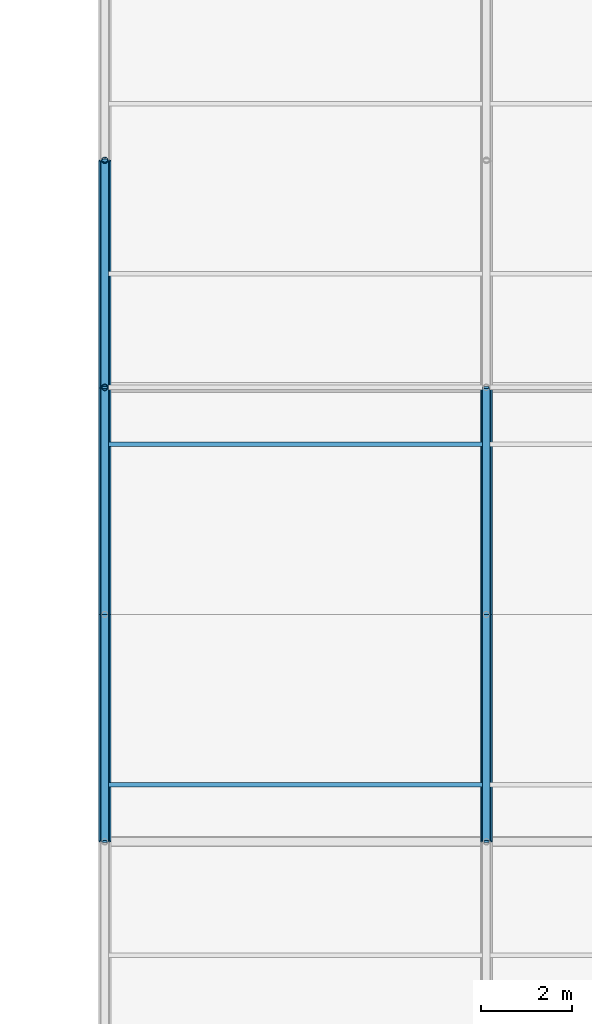
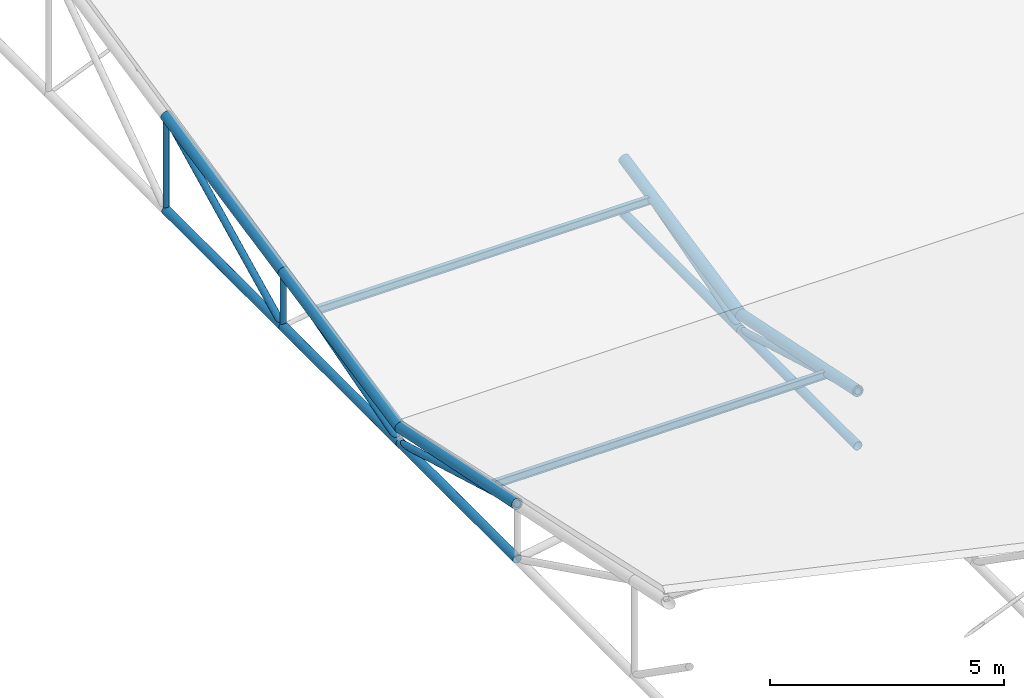
# One storey, part 9 of 194: 17 members, 2 beams.
"""IFC4 building model written with IfcOpenShell, lengths in metres."""

from ifc_helpers import new_model, si_unit, direction, frame, origin, origin_2d, place, context, subcontext, project, spatial, hollow_circle, i_section, extrude, material, material_profile, profile_set, type_object, element, save


model = new_model("IFC4")

# Units and contexts
model_context = context("Model", 3, precision=1e-05, world=origin(), true_north=direction((0.0, 1.0)))
body_context = subcontext(model_context, "Body", "Model", "MODEL_VIEW")
ifc_project = project(units=[si_unit("LENGTHUNIT", "METRE"), si_unit("AREAUNIT", "SQUARE_METRE"), si_unit("VOLUMEUNIT", "CUBIC_METRE"), si_unit("PLANEANGLEUNIT", "RADIAN"), si_unit("MASSUNIT", "GRAM", prefix="KILO")], contexts=[model_context])

# Site, building, storey
site_placement = place(None, origin())
site = spatial("IfcSite", under=ifc_project, at=site_placement, CompositionType="ELEMENT")
building_placement = place(site_placement, origin())
building = spatial("IfcBuilding", under=site, at=building_placement, Name="Kazenagashi Tramway Depot", CompositionType="ELEMENT")
storey_placement = place(building_placement, frame((0.0, 0.0, 23.7)))
storey = spatial("IfcBuildingStorey", under=building, at=storey_placement, Name="ROOF", CompositionType="ELEMENT", Elevation=23.7)

# Beams
ifc_material_1 = material(Name="Steel SN400B", Category="steel")
ifc_material_profile_1 = material_profile(ifc_material_1, i_section(OverallWidth=0.1, OverallDepth=0.2, WebThickness=0.0055, FlangeThickness=0.008, at=origin_2d()), Name="H-200x100x5.5x8")
ifc_profile_set_1 = profile_set([ifc_material_profile_1], Name="Steel SN400B")
beam_type = type_object("IfcBeamType", Name="PR-01", PredefinedType="USERDEFINED", material=ifc_profile_set_1)
for number, where, z_axis, x_axis, name in (
    (1, (44.8, 96.25, -12.955), (1.0, 0.0, 0.0), (0.0, 1.0, 0.0), "Beam PR-01 BM-2108"),
    (2, (44.8, 103.75, -12.955), (1.0, 0.0, 0.0), (0.0, 1.0, 0.0), "Beam PR-01 BM-2126"),
):
    element("IfcBeam", number, at=place(storey_placement, frame(where, z_axis=z_axis, x_axis=x_axis)), inside=storey, type_object=beam_type, Name=name, ObjectType="PURLIN", PredefinedType="USERDEFINED", context=body_context, shape_type="SweptSolid", body=[
        extrude(i_section(OverallWidth=0.1, OverallDepth=0.2, WebThickness=0.0055, FlangeThickness=0.008, at=origin_2d()), origin(), (0.0, 0.0, 1.0), 8.4),
    ])

# Members
ifc_material_2 = material(Name="Steel STK490", Category="steel")
ifc_material_profile_2 = material_profile(ifc_material_2, hollow_circle(Radius=0.1337, WallThickness=0.0093, at=origin_2d()), Name="CHS-267.4x9.3")
ifc_profile_set_2 = profile_set([ifc_material_profile_2], Name="Steel STK490")
member_type_1 = type_object("IfcMemberType", Name="TC-01", PredefinedType="CHORD", material=ifc_profile_set_2)
for number, where, z_axis, x_axis, name in (
    (3, (44.8, 95.0, -12.667), (0.0, 0.979317999984, -0.202327098797), (-1.0, 0.0, 0.0), "Tubular Space Frame TC-01 MEM-0016"),
    (4, (44.8, 100.0, -13.7), (0.0, 0.979317999984, 0.202327098797), (-1.0, 0.0, 0.0), "Tubular Space Frame TC-01 MEM-0032"),
):
    element("IfcMember", number, at=place(storey_placement, frame(where, z_axis=z_axis, x_axis=x_axis)), inside=storey, type_object=member_type_1, Name=name, PredefinedType="CHORD", context=body_context, shape_type="SweptSolid", body=[
        extrude(hollow_circle(Radius=0.1337, WallThickness=0.0093, at=origin_2d()), origin(), (0.0, 0.0, 1.0), 5.105594),
    ])
member_1_placement = place(storey_placement, frame((44.8, 105.0, -12.667), z_axis=(0.0, 0.979279174591, 0.202514933305), x_axis=(-1.0, 0.0, 0.0)))
element("IfcMember", 5, at=member_1_placement, inside=storey, type_object=member_type_1, Name="Tubular Space Frame TC-01 MEM-0035", PredefinedType="CHORD", context=body_context, shape_type="SweptSolid", body=[
    extrude(hollow_circle(Radius=0.1337, WallThickness=0.0093, at=origin_2d()), origin(), (0.0, 0.0, 1.0), 5.105796),
])
for number, where, z_axis, x_axis, name in (
    (6, (53.2, 95.0, -12.667), (0.0, 0.979317999984, -0.202327098797), (-1.0, 0.0, 0.0), "Tubular Space Frame TC-01 MEM-0077"),
    (7, (53.2, 100.0, -13.7), (0.0, 0.979317999984, 0.202327098797), (-1.0, 0.0, 0.0), "Tubular Space Frame TC-01 MEM-0093"),
):
    element("IfcMember", number, at=place(storey_placement, frame(where, z_axis=z_axis, x_axis=x_axis)), inside=storey, type_object=member_type_1, Name=name, PredefinedType="CHORD", context=body_context, shape_type="SweptSolid", body=[
        extrude(hollow_circle(Radius=0.1337, WallThickness=0.0093, at=origin_2d()), origin(), (0.0, 0.0, 1.0), 5.105594),
    ])
ifc_material_profile_3 = material_profile(ifc_material_2, hollow_circle(Radius=0.10815, WallThickness=0.0082, at=origin_2d()), Name="CHS-216.3x8.2")
ifc_profile_set_3 = profile_set([ifc_material_profile_3], Name="Steel STK490")
member_type_2 = type_object("IfcMemberType", Name="TC-02", PredefinedType="CHORD", material=ifc_profile_set_3)
for number, where, z_axis, x_axis, name in (
    (8, (44.8, 95.0, -14.1), (0.0, 1.0, 0.0), (-1.0, 0.0, 0.0), "Tubular Space Frame TC-02 MEM-0017"),
    (9, (44.8, 100.0, -14.1), (0.0, 1.0, 0.0), (-1.0, 0.0, 0.0), "Tubular Space Frame TC-02 MEM-0033"),
    (10, (44.8, 105.0, -14.1), (0.0, 1.0, 0.0), (-1.0, 0.0, 0.0), "Tubular Space Frame TC-02 MEM-0036"),
    (11, (53.2, 95.0, -14.1), (0.0, 1.0, 0.0), (-1.0, 0.0, 0.0), "Tubular Space Frame TC-02 MEM-0078"),
    (12, (53.2, 100.0, -14.1), (0.0, 1.0, 0.0), (-1.0, 0.0, 0.0), "Tubular Space Frame TC-02 MEM-0094"),
):
    element("IfcMember", number, at=place(storey_placement, frame(where, z_axis=z_axis, x_axis=x_axis)), inside=storey, type_object=member_type_2, Name=name, PredefinedType="CHORD", context=body_context, shape_type="SweptSolid", body=[
        extrude(hollow_circle(Radius=0.10815, WallThickness=0.0082, at=origin_2d()), origin(), (0.0, 0.0, 1.0), 5.0),
    ])
ifc_material_profile_4 = material_profile(ifc_material_2, hollow_circle(Radius=0.0826, WallThickness=0.0071, at=origin_2d()), Name="CHS-165.2x7.1")
ifc_profile_set_4 = profile_set([ifc_material_profile_4], Name="Steel STK490")
member_type_3 = type_object("IfcMemberType", Name="TS-01", PredefinedType="STRUT", material=ifc_profile_set_4)
for number, where, z_axis, x_axis, name in (
    (13, (44.8, 95.0, -12.667), (0.0, 0.961298717795, -0.27550821252), (-1.0, 0.0, 0.0), "Tubular Space Frame TS-01 MEM-0018"),
    (14, (44.8, 100.0, -14.1), (0.0, 0.961298717795, 0.27550821252), (-1.0, 0.0, 0.0), "Tubular Space Frame TS-01 MEM-0034"),
):
    element("IfcMember", number, at=place(storey_placement, frame(where, z_axis=z_axis, x_axis=x_axis)), inside=storey, type_object=member_type_3, Name=name, PredefinedType="STRUT", context=body_context, shape_type="SweptSolid", body=[
        extrude(hollow_circle(Radius=0.0826, WallThickness=0.0071, at=origin_2d()), origin(), (0.0, 0.0, 1.0), 5.201297),
    ])
member_2_placement = place(storey_placement, frame((44.8, 105.0, -14.1), z_axis=(0.0, 0.896782162482, 0.442472318969), x_axis=(-1.0, 0.0, 0.0)))
element("IfcMember", 15, at=member_2_placement, inside=storey, type_object=member_type_3, Name="Tubular Space Frame TS-01 MEM-0037", PredefinedType="STRUT", context=body_context, shape_type="SweptSolid", body=[
    extrude(hollow_circle(Radius=0.0826, WallThickness=0.0071, at=origin_2d()), origin(), (0.0, 0.0, 1.0), 5.57549),
])
for number, where, z_axis, x_axis, name in (
    (16, (53.2, 95.0, -12.667), (0.0, 0.961298717795, -0.27550821252), (-1.0, 0.0, 0.0), "Tubular Space Frame TS-01 MEM-0079"),
    (17, (53.2, 100.0, -14.1), (0.0, 0.961298717795, 0.27550821252), (-1.0, 0.0, 0.0), "Tubular Space Frame TS-01 MEM-0095"),
):
    element("IfcMember", number, at=place(storey_placement, frame(where, z_axis=z_axis, x_axis=x_axis)), inside=storey, type_object=member_type_3, Name=name, PredefinedType="STRUT", context=body_context, shape_type="SweptSolid", body=[
        extrude(hollow_circle(Radius=0.0826, WallThickness=0.0071, at=origin_2d()), origin(), (0.0, 0.0, 1.0), 5.201297),
    ])
ifc_material_profile_5 = material_profile(ifc_material_2, hollow_circle(Radius=0.0699, WallThickness=0.0066, at=origin_2d()), Name="CHS-139.8x6.6")
ifc_profile_set_5 = profile_set([ifc_material_profile_5], Name="Steel STK490")
member_type_4 = type_object("IfcMemberType", Name="TS-02", PredefinedType="STRUT", material=ifc_profile_set_5)
member_3_placement = place(storey_placement, frame((44.8, 105.0, -14.1), z_axis=(0.0, 0.0, 1.0), x_axis=(1.0, 0.0, 0.0)))
element("IfcMember", 18, at=member_3_placement, inside=storey, type_object=member_type_4, Name="Tubular Space Frame TS-02 MEM-0050", PredefinedType="STRUT", context=body_context, shape_type="SweptSolid", body=[
    extrude(hollow_circle(Radius=0.0699, WallThickness=0.0066, at=origin_2d()), origin(), (0.0, 0.0, 1.0), 1.433),
])
member_4_placement = place(storey_placement, frame((44.8, 110.0, -14.1), z_axis=(0.0, 0.0, 1.0), x_axis=(1.0, 0.0, 0.0)))
element("IfcMember", 19, at=member_4_placement, inside=storey, type_object=member_type_4, Name="Tubular Space Frame TS-02 MEM-0051", PredefinedType="STRUT", context=body_context, shape_type="SweptSolid", body=[
    extrude(hollow_circle(Radius=0.0699, WallThickness=0.0066, at=origin_2d()), origin(), (0.0, 0.0, 1.0), 2.467),
])

save(model, "model.ifc")
